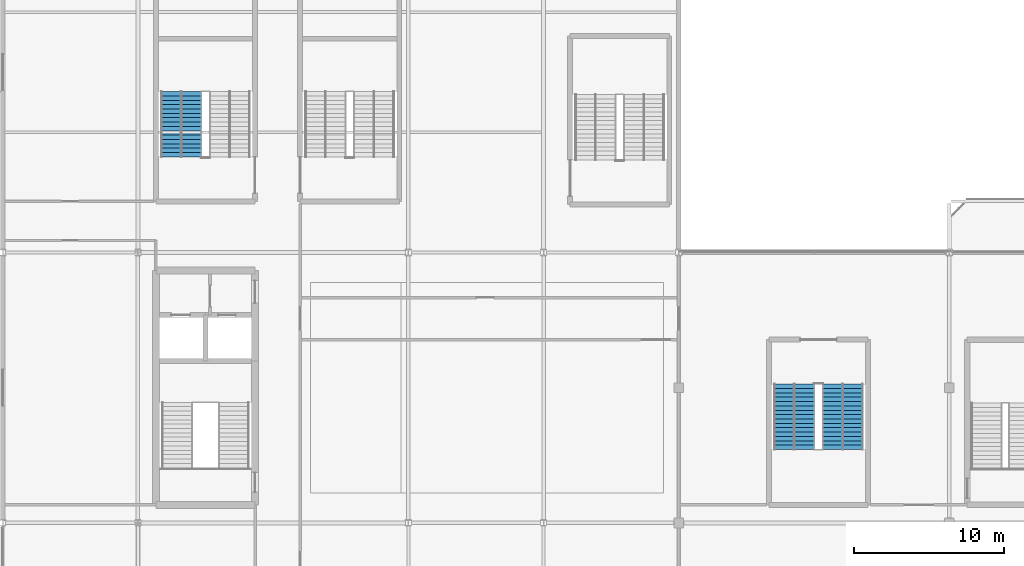
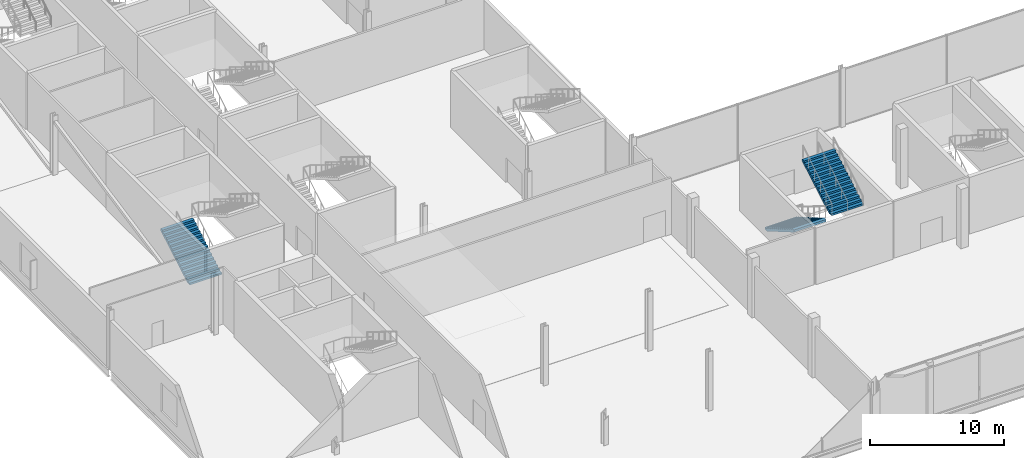
# One storey, part 80 of 113: 3 stair flights, 2 elements without a shape of their own.
"""IFC4 building model written with IfcOpenShell, lengths in metres."""

from ifc_helpers import new_model, si_unit, direction, frame, origin, place, context, subcontext, project, spatial, polygons, material, type_object, element, aggregate, save


model = new_model("IFC4")

# Units and contexts
model_context = context("Model", 3, precision=1e-05, world=origin(), true_north=direction((0.0, 1.0)))
body_context = subcontext(model_context, "Body", "Model", "MODEL_VIEW")
ifc_project = project(units=[si_unit("LENGTHUNIT", "METRE"), si_unit("AREAUNIT", "SQUARE_METRE"), si_unit("VOLUMEUNIT", "CUBIC_METRE"), si_unit("PLANEANGLEUNIT", "RADIAN"), si_unit("MASSUNIT", "GRAM", prefix="KILO")], contexts=[model_context])

# Site, building, storey
site_placement = place(None, origin())
site = spatial("IfcSite", under=ifc_project, at=site_placement, CompositionType="ELEMENT")
building_placement = place(site_placement, origin())
building = spatial("IfcBuilding", under=site, at=building_placement, Name="Kisiwana Market Hall", CompositionType="ELEMENT")
storey_placement = place(building_placement, frame((0.0, 0.0, 6.0)))
storey = spatial("IfcBuildingStorey", under=building, at=storey_placement, Name="L01", CompositionType="ELEMENT", Elevation=6.0)

# Stair, stair flight
ifc_material_1 = material(Name="Concrete C32/40", Category="concrete")
stair_type = type_object("IfcStairType", Name="ST-ESC-5400", PredefinedType="TWO_STRAIGHT_RUN_STAIR", material=ifc_material_1)
stair_1_placement = place(storey_placement, origin())
stair_1 = element("IfcStair", 1, at=stair_1_placement, inside=storey, type_object=stair_type, Name="Escape stair ST-W3-L01", PredefinedType="TWO_STRAIGHT_RUN_STAIR")
ifc_material_2 = material(Name="Concrete C32/40", Category="concrete")
stair_flight_type = type_object("IfcStairFlightType", Name="SF-ESC-5400", PredefinedType="STRAIGHT", material=ifc_material_2)
stair_flight_1_placement = place(storey_placement, frame((11.889892578125, 42.360107421875, 0.0), z_axis=(0.0, 0.0, 1.0), x_axis=(0.0, 1.0, 0.0)))
stair_flight_1 = element("IfcStairFlight", 2, at=stair_flight_1_placement, type_object=stair_flight_type, Name="ST-W3-L01 flight 1", NumberOfRisers=16, NumberOfTreads=15, PredefinedType="STRAIGHT", RiserHeight=0.16875, TreadLength=0.29, context=body_context, shape_type="Tessellation", body=[
    polygons([(0.0, -1.380127, 0.0), (0.0, -0.690125, 0.0), (0.0, -0.000122, 0.0), (0.0, 0.68988, 0.0), (0.0, 1.379883, 0.0), (0.0, -1.380127, 0.168701), (0.0, -0.690125, 0.168701), (0.0, -0.000122, 0.168701), (0.0, 0.68988, 0.168701), (0.0, 1.379883, 0.168701), (0.290039, -1.380127, 0.168701), (0.290039, -0.690125, 0.168701), (0.290039, -0.000122, 0.168701), (0.290039, 0.68988, 0.168701), (0.290039, 1.379883, 0.168701), (0.290039, -1.380127, 0.337402), (0.290039, -0.690125, 0.337402), (0.290039, -0.000122, 0.337402), (0.290039, 0.68988, 0.337402), (0.290039, 1.379883, 0.337402), (0.580078, -1.380127, 0.337402), (0.580078, -0.690125, 0.337402), (0.580078, -0.000122, 0.337402), (0.580078, 0.68988, 0.337402), (0.580078, 1.379883, 0.337402), (0.580078, -1.380127, 0.506348), (0.580078, -0.690125, 0.506348), (0.580078, -0.000122, 0.506348), (0.580078, 0.68988, 0.506348), (0.580078, 1.379883, 0.506348), (0.870117, -1.380127, 0.506348), (0.870117, -0.690125, 0.506348), (0.870117, -0.000122, 0.506348), (0.870117, 0.68988, 0.506348), (0.870117, 1.379883, 0.506348), (0.870117, -1.380127, 0.675049), (0.870117, -0.690125, 0.675049), (0.870117, -0.000122, 0.675049), (0.870117, 0.68988, 0.675049), (0.870117, 1.379883, 0.675049), (1.159912, -1.380127, 0.675049), (1.159912, -0.690125, 0.675049), (1.159912, -0.000122, 0.675049), (1.159912, 0.68988, 0.675049), (1.159912, 1.379883, 0.675049), (1.159912, -1.380127, 0.84375), (1.159912, -0.690125, 0.84375), (1.159912, -0.000122, 0.84375), (1.159912, 0.68988, 0.84375), (1.159912, 1.379883, 0.84375), (1.449951, -1.380127, 0.84375), (1.449951, -0.690125, 0.84375), (1.449951, -0.000122, 0.84375), (1.449951, 0.68988, 0.84375), (1.449951, 1.379883, 0.84375), (1.449951, -1.380127, 1.012451), (1.449951, -0.690125, 1.012451), (1.449951, -0.000122, 1.012451), (1.449951, 0.68988, 1.012451), (1.449951, 1.379883, 1.012451), (1.73999, -1.380127, 1.012451), (1.73999, -0.690125, 1.012451), (1.73999, -0.000122, 1.012451), (1.73999, 0.68988, 1.012451), (1.73999, 1.379883, 1.012451), (1.73999, -1.380127, 1.181152), (1.73999, -0.690125, 1.181152), (1.73999, -0.000122, 1.181152), (1.73999, 0.68988, 1.181152), (1.73999, 1.379883, 1.181152), (2.030029, -1.380127, 1.181152), (2.030029, -0.690125, 1.181152), (2.030029, -0.000122, 1.181152), (2.030029, 0.68988, 1.181152), (2.030029, 1.379883, 1.181152), (2.030029, -1.380127, 1.350098), (2.030029, -0.690125, 1.350098), (2.030029, -0.000122, 1.350098), (2.030029, 0.68988, 1.350098), (2.030029, 1.379883, 1.350098), (2.320068, -1.380127, 1.350098), (2.320068, -0.690125, 1.350098), (2.320068, -0.000122, 1.350098), (2.320068, 0.68988, 1.350098), (2.320068, 1.379883, 1.350098), (2.320068, -1.380127, 1.518799), (2.320068, -0.690125, 1.518799), (2.320068, -0.000122, 1.518799), (2.320068, 0.68988, 1.518799), (2.320068, 1.379883, 1.518799), (2.610107, -1.380127, 1.518799), (2.610107, -0.690125, 1.518799), (2.610107, -0.000122, 1.518799), (2.610107, 0.68988, 1.518799), (2.610107, 1.379883, 1.518799), (2.610107, -1.380127, 1.6875), (2.610107, -0.690125, 1.6875), (2.610107, -0.000122, 1.6875), (2.610107, 0.68988, 1.6875), (2.610107, 1.379883, 1.6875), (2.899902, -1.380127, 1.6875), (2.899902, -0.690125, 1.6875), (2.899902, -0.000122, 1.6875), (2.899902, 0.68988, 1.6875), (2.899902, 1.379883, 1.6875), (2.899902, -1.380127, 1.856201), (2.899902, -0.690125, 1.856201), (2.899902, -0.000122, 1.856201), (2.899902, 0.68988, 1.856201), (2.899902, 1.379883, 1.856201), (3.189941, -1.380127, 1.856201), (3.189941, -0.690125, 1.856201), (3.189941, -0.000122, 1.856201), (3.189941, 0.68988, 1.856201), (3.189941, 1.379883, 1.856201), (3.189941, -1.380127, 2.024902), (3.189941, -0.690125, 2.024902), (3.189941, -0.000122, 2.024902), (3.189941, 0.68988, 2.024902), (3.189941, 1.379883, 2.024902), (3.47998, -1.380127, 2.024902), (3.47998, -0.690125, 2.024902), (3.47998, -0.000122, 2.024902), (3.47998, 0.68988, 2.024902), (3.47998, 1.379883, 2.024902), (3.47998, -1.380127, 2.193848), (3.47998, -0.690125, 2.193848), (3.47998, -0.000122, 2.193848), (3.47998, 0.68988, 2.193848), (3.47998, 1.379883, 2.193848), (3.77002, -1.380127, 2.193848), (3.77002, -0.690125, 2.193848), (3.77002, -0.000122, 2.193848), (3.77002, 0.68988, 2.193848), (3.77002, 1.379883, 2.193848), (3.77002, -1.380127, 2.362549), (3.77002, -0.690125, 2.362549), (3.77002, -0.000122, 2.362549), (3.77002, 0.68988, 2.362549), (3.77002, 1.379883, 2.362549), (4.060059, -1.380127, 2.362549), (4.060059, -0.690125, 2.362549), (4.060059, -0.000122, 2.362549), (4.060059, 0.68988, 2.362549), (4.060059, 1.379883, 2.362549), (4.060059, -1.380127, 2.53125), (4.060059, -0.690125, 2.53125), (4.060059, -0.000122, 2.53125), (4.060059, 0.68988, 2.53125), (4.060059, 1.379883, 2.53125), (4.350098, -1.380127, 2.53125), (4.350098, -0.690125, 2.53125), (4.350098, -0.000122, 2.53125), (4.350098, 0.68988, 2.53125), (4.350098, 1.379883, 2.53125), (4.350098, -1.380127, 2.322998), (4.350098, -0.690125, 2.322998), (4.350098, -0.000122, 2.322998), (4.350098, 0.68988, 2.322998), (4.350098, 1.379883, 2.322998), (0.357666, -1.380127, 0.0), (0.357666, -0.690125, 0.0), (0.357666, -0.000122, 0.0), (0.357666, 0.68988, 0.0), (0.357666, 1.379883, 0.0)], [[[1, 6, 7, 2]], [[2, 7, 8, 3]], [[3, 8, 9, 4]], [[4, 9, 10, 5]], [[6, 11, 12, 7]], [[7, 12, 13, 8]], [[8, 13, 14, 9]], [[9, 14, 15, 10]], [[11, 16, 17, 12]], [[12, 17, 18, 13]], [[13, 18, 19, 14]], [[14, 19, 20, 15]], [[16, 21, 22, 17]], [[17, 22, 23, 18]], [[18, 23, 24, 19]], [[19, 24, 25, 20]], [[21, 26, 27, 22]], [[22, 27, 28, 23]], [[23, 28, 29, 24]], [[24, 29, 30, 25]], [[26, 31, 32, 27]], [[27, 32, 33, 28]], [[28, 33, 34, 29]], [[29, 34, 35, 30]], [[31, 36, 37, 32]], [[32, 37, 38, 33]], [[33, 38, 39, 34]], [[34, 39, 40, 35]], [[36, 41, 42, 37]], [[37, 42, 43, 38]], [[38, 43, 44, 39]], [[39, 44, 45, 40]], [[41, 46, 47, 42]], [[42, 47, 48, 43]], [[43, 48, 49, 44]], [[44, 49, 50, 45]], [[46, 51, 52, 47]], [[47, 52, 53, 48]], [[48, 53, 54, 49]], [[49, 54, 55, 50]], [[51, 56, 57, 52]], [[52, 57, 58, 53]], [[53, 58, 59, 54]], [[54, 59, 60, 55]], [[56, 61, 62, 57]], [[57, 62, 63, 58]], [[58, 63, 64, 59]], [[59, 64, 65, 60]], [[61, 66, 67, 62]], [[62, 67, 68, 63]], [[63, 68, 69, 64]], [[64, 69, 70, 65]], [[66, 71, 72, 67]], [[67, 72, 73, 68]], [[68, 73, 74, 69]], [[69, 74, 75, 70]], [[71, 76, 77, 72]], [[72, 77, 78, 73]], [[73, 78, 79, 74]], [[74, 79, 80, 75]], [[76, 81, 82, 77]], [[77, 82, 83, 78]], [[78, 83, 84, 79]], [[79, 84, 85, 80]], [[81, 86, 87, 82]], [[82, 87, 88, 83]], [[83, 88, 89, 84]], [[84, 89, 90, 85]], [[86, 91, 92, 87]], [[87, 92, 93, 88]], [[88, 93, 94, 89]], [[89, 94, 95, 90]], [[91, 96, 97, 92]], [[92, 97, 98, 93]], [[93, 98, 99, 94]], [[94, 99, 100, 95]], [[96, 101, 102, 97]], [[97, 102, 103, 98]], [[98, 103, 104, 99]], [[99, 104, 105, 100]], [[101, 106, 107, 102]], [[102, 107, 108, 103]], [[103, 108, 109, 104]], [[104, 109, 110, 105]], [[106, 111, 112, 107]], [[107, 112, 113, 108]], [[108, 113, 114, 109]], [[109, 114, 115, 110]], [[111, 116, 117, 112]], [[112, 117, 118, 113]], [[113, 118, 119, 114]], [[114, 119, 120, 115]], [[116, 121, 122, 117]], [[117, 122, 123, 118]], [[118, 123, 124, 119]], [[119, 124, 125, 120]], [[121, 126, 127, 122]], [[122, 127, 128, 123]], [[123, 128, 129, 124]], [[124, 129, 130, 125]], [[126, 131, 132, 127]], [[127, 132, 133, 128]], [[128, 133, 134, 129]], [[129, 134, 135, 130]], [[131, 136, 137, 132]], [[132, 137, 138, 133]], [[133, 138, 139, 134]], [[134, 139, 140, 135]], [[136, 141, 142, 137]], [[137, 142, 143, 138]], [[138, 143, 144, 139]], [[139, 144, 145, 140]], [[141, 146, 147, 142]], [[142, 147, 148, 143]], [[143, 148, 149, 144]], [[144, 149, 150, 145]], [[146, 151, 152, 147]], [[147, 152, 153, 148]], [[148, 153, 154, 149]], [[149, 154, 155, 150]], [[151, 156, 157, 152]], [[152, 157, 158, 153]], [[153, 158, 159, 154]], [[154, 159, 160, 155]], [[156, 161, 162, 157]], [[157, 162, 163, 158]], [[158, 163, 164, 159]], [[159, 164, 165, 160]], [[161, 1, 2, 162]], [[162, 2, 3, 163]], [[163, 3, 4, 164]], [[164, 4, 5, 165]], [[161, 156, 151, 146, 141, 136, 131, 126, 121, 116, 111, 106, 101, 96, 91, 86, 81, 76, 71, 66, 61, 56, 51, 46, 41, 36, 31, 26, 21, 16, 11, 6, 1]], [[5, 10, 15, 20, 25, 30, 35, 40, 45, 50, 55, 60, 65, 70, 75, 80, 85, 90, 95, 100, 105, 110, 115, 120, 125, 130, 135, 140, 145, 150, 155, 160, 165]]], closed=True),
])
aggregate(stair_1, [stair_flight_1])

# Stair, stair flights
stair_2_placement = place(storey_placement, origin())
stair_2 = element("IfcStair", 3, at=stair_2_placement, inside=storey, type_object=stair_type, Name="Escape stair ST-S3-L01", PredefinedType="TWO_STRAIGHT_RUN_STAIR")
stair_flight_2_placement = place(storey_placement, frame((52.68994140625, 27.239990234375, 0.0), z_axis=(0.0, 0.0, 1.0), x_axis=(0.0, -1.0, 0.0)))
stair_flight_2 = element("IfcStairFlight", 4, at=stair_flight_2_placement, type_object=stair_flight_type, Name="ST-S3-L01 flight 1", NumberOfRisers=16, NumberOfTreads=15, PredefinedType="STRAIGHT", RiserHeight=0.16875, TreadLength=0.29, context=body_context, shape_type="Tessellation", body=[
    polygons([(0.0, -1.380127, 0.0), (0.0, -0.690125, 0.0), (0.0, -0.000122, 0.0), (0.0, 0.68988, 0.0), (0.0, 1.379883, 0.0), (0.0, -1.380127, 0.168701), (0.0, -0.690125, 0.168701), (0.0, -0.000122, 0.168701), (0.0, 0.68988, 0.168701), (0.0, 1.379883, 0.168701), (0.290039, -1.380127, 0.168701), (0.290039, -0.690125, 0.168701), (0.290039, -0.000122, 0.168701), (0.290039, 0.68988, 0.168701), (0.290039, 1.379883, 0.168701), (0.290039, -1.380127, 0.337402), (0.290039, -0.690125, 0.337402), (0.290039, -0.000122, 0.337402), (0.290039, 0.68988, 0.337402), (0.290039, 1.379883, 0.337402), (0.580078, -1.380127, 0.337402), (0.580078, -0.690125, 0.337402), (0.580078, -0.000122, 0.337402), (0.580078, 0.68988, 0.337402), (0.580078, 1.379883, 0.337402), (0.580078, -1.380127, 0.506348), (0.580078, -0.690125, 0.506348), (0.580078, -0.000122, 0.506348), (0.580078, 0.68988, 0.506348), (0.580078, 1.379883, 0.506348), (0.870117, -1.380127, 0.506348), (0.870117, -0.690125, 0.506348), (0.870117, -0.000122, 0.506348), (0.870117, 0.68988, 0.506348), (0.870117, 1.379883, 0.506348), (0.870117, -1.380127, 0.675049), (0.870117, -0.690125, 0.675049), (0.870117, -0.000122, 0.675049), (0.870117, 0.68988, 0.675049), (0.870117, 1.379883, 0.675049), (1.159912, -1.380127, 0.675049), (1.159912, -0.690125, 0.675049), (1.159912, -0.000122, 0.675049), (1.159912, 0.68988, 0.675049), (1.159912, 1.379883, 0.675049), (1.159912, -1.380127, 0.84375), (1.159912, -0.690125, 0.84375), (1.159912, -0.000122, 0.84375), (1.159912, 0.68988, 0.84375), (1.159912, 1.379883, 0.84375), (1.449951, -1.380127, 0.84375), (1.449951, -0.690125, 0.84375), (1.449951, -0.000122, 0.84375), (1.449951, 0.68988, 0.84375), (1.449951, 1.379883, 0.84375), (1.449951, -1.380127, 1.012451), (1.449951, -0.690125, 1.012451), (1.449951, -0.000122, 1.012451), (1.449951, 0.68988, 1.012451), (1.449951, 1.379883, 1.012451), (1.73999, -1.380127, 1.012451), (1.73999, -0.690125, 1.012451), (1.73999, -0.000122, 1.012451), (1.73999, 0.68988, 1.012451), (1.73999, 1.379883, 1.012451), (1.73999, -1.380127, 1.181152), (1.73999, -0.690125, 1.181152), (1.73999, -0.000122, 1.181152), (1.73999, 0.68988, 1.181152), (1.73999, 1.379883, 1.181152), (2.030029, -1.380127, 1.181152), (2.030029, -0.690125, 1.181152), (2.030029, -0.000122, 1.181152), (2.030029, 0.68988, 1.181152), (2.030029, 1.379883, 1.181152), (2.030029, -1.380127, 1.350098), (2.030029, -0.690125, 1.350098), (2.030029, -0.000122, 1.350098), (2.030029, 0.68988, 1.350098), (2.030029, 1.379883, 1.350098), (2.320068, -1.380127, 1.350098), (2.320068, -0.690125, 1.350098), (2.320068, -0.000122, 1.350098), (2.320068, 0.68988, 1.350098), (2.320068, 1.379883, 1.350098), (2.320068, -1.380127, 1.518799), (2.320068, -0.690125, 1.518799), (2.320068, -0.000122, 1.518799), (2.320068, 0.68988, 1.518799), (2.320068, 1.379883, 1.518799), (2.610107, -1.380127, 1.518799), (2.610107, -0.690125, 1.518799), (2.610107, -0.000122, 1.518799), (2.610107, 0.68988, 1.518799), (2.610107, 1.379883, 1.518799), (2.610107, -1.380127, 1.6875), (2.610107, -0.690125, 1.6875), (2.610107, -0.000122, 1.6875), (2.610107, 0.68988, 1.6875), (2.610107, 1.379883, 1.6875), (2.899902, -1.380127, 1.6875), (2.899902, -0.690125, 1.6875), (2.899902, -0.000122, 1.6875), (2.899902, 0.68988, 1.6875), (2.899902, 1.379883, 1.6875), (2.899902, -1.380127, 1.856201), (2.899902, -0.690125, 1.856201), (2.899902, -0.000122, 1.856201), (2.899902, 0.68988, 1.856201), (2.899902, 1.379883, 1.856201), (3.189941, -1.380127, 1.856201), (3.189941, -0.690125, 1.856201), (3.189941, -0.000122, 1.856201), (3.189941, 0.68988, 1.856201), (3.189941, 1.379883, 1.856201), (3.189941, -1.380127, 2.024902), (3.189941, -0.690125, 2.024902), (3.189941, -0.000122, 2.024902), (3.189941, 0.68988, 2.024902), (3.189941, 1.379883, 2.024902), (3.47998, -1.380127, 2.024902), (3.47998, -0.690125, 2.024902), (3.47998, -0.000122, 2.024902), (3.47998, 0.68988, 2.024902), (3.47998, 1.379883, 2.024902), (3.47998, -1.380127, 2.193848), (3.47998, -0.690125, 2.193848), (3.47998, -0.000122, 2.193848), (3.47998, 0.68988, 2.193848), (3.47998, 1.379883, 2.193848), (3.77002, -1.380127, 2.193848), (3.77002, -0.690125, 2.193848), (3.77002, -0.000122, 2.193848), (3.77002, 0.68988, 2.193848), (3.77002, 1.379883, 2.193848), (3.77002, -1.380127, 2.362549), (3.77002, -0.690125, 2.362549), (3.77002, -0.000122, 2.362549), (3.77002, 0.68988, 2.362549), (3.77002, 1.379883, 2.362549), (4.060059, -1.380127, 2.362549), (4.060059, -0.690125, 2.362549), (4.060059, -0.000122, 2.362549), (4.060059, 0.68988, 2.362549), (4.060059, 1.379883, 2.362549), (4.060059, -1.380127, 2.53125), (4.060059, -0.690125, 2.53125), (4.060059, -0.000122, 2.53125), (4.060059, 0.68988, 2.53125), (4.060059, 1.379883, 2.53125), (4.350098, -1.380127, 2.53125), (4.350098, -0.690125, 2.53125), (4.350098, -0.000122, 2.53125), (4.350098, 0.68988, 2.53125), (4.350098, 1.379883, 2.53125), (4.350098, -1.380127, 2.322998), (4.350098, -0.690125, 2.322998), (4.350098, -0.000122, 2.322998), (4.350098, 0.68988, 2.322998), (4.350098, 1.379883, 2.322998), (0.357666, -1.380127, 0.0), (0.357666, -0.690125, 0.0), (0.357666, -0.000122, 0.0), (0.357666, 0.68988, 0.0), (0.357666, 1.379883, 0.0)], [[[1, 6, 7, 2]], [[2, 7, 8, 3]], [[3, 8, 9, 4]], [[4, 9, 10, 5]], [[6, 11, 12, 7]], [[7, 12, 13, 8]], [[8, 13, 14, 9]], [[9, 14, 15, 10]], [[11, 16, 17, 12]], [[12, 17, 18, 13]], [[13, 18, 19, 14]], [[14, 19, 20, 15]], [[16, 21, 22, 17]], [[17, 22, 23, 18]], [[18, 23, 24, 19]], [[19, 24, 25, 20]], [[21, 26, 27, 22]], [[22, 27, 28, 23]], [[23, 28, 29, 24]], [[24, 29, 30, 25]], [[26, 31, 32, 27]], [[27, 32, 33, 28]], [[28, 33, 34, 29]], [[29, 34, 35, 30]], [[31, 36, 37, 32]], [[32, 37, 38, 33]], [[33, 38, 39, 34]], [[34, 39, 40, 35]], [[36, 41, 42, 37]], [[37, 42, 43, 38]], [[38, 43, 44, 39]], [[39, 44, 45, 40]], [[41, 46, 47, 42]], [[42, 47, 48, 43]], [[43, 48, 49, 44]], [[44, 49, 50, 45]], [[46, 51, 52, 47]], [[47, 52, 53, 48]], [[48, 53, 54, 49]], [[49, 54, 55, 50]], [[51, 56, 57, 52]], [[52, 57, 58, 53]], [[53, 58, 59, 54]], [[54, 59, 60, 55]], [[56, 61, 62, 57]], [[57, 62, 63, 58]], [[58, 63, 64, 59]], [[59, 64, 65, 60]], [[61, 66, 67, 62]], [[62, 67, 68, 63]], [[63, 68, 69, 64]], [[64, 69, 70, 65]], [[66, 71, 72, 67]], [[67, 72, 73, 68]], [[68, 73, 74, 69]], [[69, 74, 75, 70]], [[71, 76, 77, 72]], [[72, 77, 78, 73]], [[73, 78, 79, 74]], [[74, 79, 80, 75]], [[76, 81, 82, 77]], [[77, 82, 83, 78]], [[78, 83, 84, 79]], [[79, 84, 85, 80]], [[81, 86, 87, 82]], [[82, 87, 88, 83]], [[83, 88, 89, 84]], [[84, 89, 90, 85]], [[86, 91, 92, 87]], [[87, 92, 93, 88]], [[88, 93, 94, 89]], [[89, 94, 95, 90]], [[91, 96, 97, 92]], [[92, 97, 98, 93]], [[93, 98, 99, 94]], [[94, 99, 100, 95]], [[96, 101, 102, 97]], [[97, 102, 103, 98]], [[98, 103, 104, 99]], [[99, 104, 105, 100]], [[101, 106, 107, 102]], [[102, 107, 108, 103]], [[103, 108, 109, 104]], [[104, 109, 110, 105]], [[106, 111, 112, 107]], [[107, 112, 113, 108]], [[108, 113, 114, 109]], [[109, 114, 115, 110]], [[111, 116, 117, 112]], [[112, 117, 118, 113]], [[113, 118, 119, 114]], [[114, 119, 120, 115]], [[116, 121, 122, 117]], [[117, 122, 123, 118]], [[118, 123, 124, 119]], [[119, 124, 125, 120]], [[121, 126, 127, 122]], [[122, 127, 128, 123]], [[123, 128, 129, 124]], [[124, 129, 130, 125]], [[126, 131, 132, 127]], [[127, 132, 133, 128]], [[128, 133, 134, 129]], [[129, 134, 135, 130]], [[131, 136, 137, 132]], [[132, 137, 138, 133]], [[133, 138, 139, 134]], [[134, 139, 140, 135]], [[136, 141, 142, 137]], [[137, 142, 143, 138]], [[138, 143, 144, 139]], [[139, 144, 145, 140]], [[141, 146, 147, 142]], [[142, 147, 148, 143]], [[143, 148, 149, 144]], [[144, 149, 150, 145]], [[146, 151, 152, 147]], [[147, 152, 153, 148]], [[148, 153, 154, 149]], [[149, 154, 155, 150]], [[151, 156, 157, 152]], [[152, 157, 158, 153]], [[153, 158, 159, 154]], [[154, 159, 160, 155]], [[156, 161, 162, 157]], [[157, 162, 163, 158]], [[158, 163, 164, 159]], [[159, 164, 165, 160]], [[161, 1, 2, 162]], [[162, 2, 3, 163]], [[163, 3, 4, 164]], [[164, 4, 5, 165]], [[161, 156, 151, 146, 141, 136, 131, 126, 121, 116, 111, 106, 101, 96, 91, 86, 81, 76, 71, 66, 61, 56, 51, 46, 41, 36, 31, 26, 21, 16, 11, 6, 1]], [[5, 10, 15, 20, 25, 30, 35, 40, 45, 50, 55, 60, 65, 70, 75, 80, 85, 90, 95, 100, 105, 110, 115, 120, 125, 130, 135, 140, 145, 150, 155, 160, 165]]], closed=True),
])
stair_flight_3_placement = place(storey_placement, frame((55.909912109375, 22.889892578125, 2.699951171875), z_axis=(0.0, 0.0, 1.0), x_axis=(0.0, 1.0, 0.0)))
stair_flight_3 = element("IfcStairFlight", 5, at=stair_flight_3_placement, type_object=stair_flight_type, Name="ST-S3-L01 flight 2", NumberOfRisers=16, NumberOfTreads=15, PredefinedType="STRAIGHT", RiserHeight=0.16875, TreadLength=0.29, context=body_context, shape_type="Tessellation", body=[
    polygons([(0.0, -1.380127, 0.0), (0.0, -0.690125, 0.0), (0.0, -0.000122, 0.0), (0.0, 0.68988, 0.0), (0.0, 1.379883, 0.0), (0.0, -1.380127, 0.168701), (0.0, -0.690125, 0.168701), (0.0, -0.000122, 0.168701), (0.0, 0.68988, 0.168701), (0.0, 1.379883, 0.168701), (0.290039, -1.380127, 0.168701), (0.290039, -0.690125, 0.168701), (0.290039, -0.000122, 0.168701), (0.290039, 0.68988, 0.168701), (0.290039, 1.379883, 0.168701), (0.290039, -1.380127, 0.337402), (0.290039, -0.690125, 0.337402), (0.290039, -0.000122, 0.337402), (0.290039, 0.68988, 0.337402), (0.290039, 1.379883, 0.337402), (0.580078, -1.380127, 0.337402), (0.580078, -0.690125, 0.337402), (0.580078, -0.000122, 0.337402), (0.580078, 0.68988, 0.337402), (0.580078, 1.379883, 0.337402), (0.580078, -1.380127, 0.506348), (0.580078, -0.690125, 0.506348), (0.580078, -0.000122, 0.506348), (0.580078, 0.68988, 0.506348), (0.580078, 1.379883, 0.506348), (0.870117, -1.380127, 0.506348), (0.870117, -0.690125, 0.506348), (0.870117, -0.000122, 0.506348), (0.870117, 0.68988, 0.506348), (0.870117, 1.379883, 0.506348), (0.870117, -1.380127, 0.675049), (0.870117, -0.690125, 0.675049), (0.870117, -0.000122, 0.675049), (0.870117, 0.68988, 0.675049), (0.870117, 1.379883, 0.675049), (1.159912, -1.380127, 0.675049), (1.159912, -0.690125, 0.675049), (1.159912, -0.000122, 0.675049), (1.159912, 0.68988, 0.675049), (1.159912, 1.379883, 0.675049), (1.159912, -1.380127, 0.84375), (1.159912, -0.690125, 0.84375), (1.159912, -0.000122, 0.84375), (1.159912, 0.68988, 0.84375), (1.159912, 1.379883, 0.84375), (1.449951, -1.380127, 0.84375), (1.449951, -0.690125, 0.84375), (1.449951, -0.000122, 0.84375), (1.449951, 0.68988, 0.84375), (1.449951, 1.379883, 0.84375), (1.449951, -1.380127, 1.012451), (1.449951, -0.690125, 1.012451), (1.449951, -0.000122, 1.012451), (1.449951, 0.68988, 1.012451), (1.449951, 1.379883, 1.012451), (1.73999, -1.380127, 1.012451), (1.73999, -0.690125, 1.012451), (1.73999, -0.000122, 1.012451), (1.73999, 0.68988, 1.012451), (1.73999, 1.379883, 1.012451), (1.73999, -1.380127, 1.181152), (1.73999, -0.690125, 1.181152), (1.73999, -0.000122, 1.181152), (1.73999, 0.68988, 1.181152), (1.73999, 1.379883, 1.181152), (2.030029, -1.380127, 1.181152), (2.030029, -0.690125, 1.181152), (2.030029, -0.000122, 1.181152), (2.030029, 0.68988, 1.181152), (2.030029, 1.379883, 1.181152), (2.030029, -1.380127, 1.350098), (2.030029, -0.690125, 1.350098), (2.030029, -0.000122, 1.350098), (2.030029, 0.68988, 1.350098), (2.030029, 1.379883, 1.350098), (2.320068, -1.380127, 1.350098), (2.320068, -0.690125, 1.350098), (2.320068, -0.000122, 1.350098), (2.320068, 0.68988, 1.350098), (2.320068, 1.379883, 1.350098), (2.320068, -1.380127, 1.518799), (2.320068, -0.690125, 1.518799), (2.320068, -0.000122, 1.518799), (2.320068, 0.68988, 1.518799), (2.320068, 1.379883, 1.518799), (2.610107, -1.380127, 1.518799), (2.610107, -0.690125, 1.518799), (2.610107, -0.000122, 1.518799), (2.610107, 0.68988, 1.518799), (2.610107, 1.379883, 1.518799), (2.610107, -1.380127, 1.6875), (2.610107, -0.690125, 1.6875), (2.610107, -0.000122, 1.6875), (2.610107, 0.68988, 1.6875), (2.610107, 1.379883, 1.6875), (2.899902, -1.380127, 1.6875), (2.899902, -0.690125, 1.6875), (2.899902, -0.000122, 1.6875), (2.899902, 0.68988, 1.6875), (2.899902, 1.379883, 1.6875), (2.899902, -1.380127, 1.856201), (2.899902, -0.690125, 1.856201), (2.899902, -0.000122, 1.856201), (2.899902, 0.68988, 1.856201), (2.899902, 1.379883, 1.856201), (3.189941, -1.380127, 1.856201), (3.189941, -0.690125, 1.856201), (3.189941, -0.000122, 1.856201), (3.189941, 0.68988, 1.856201), (3.189941, 1.379883, 1.856201), (3.189941, -1.380127, 2.024902), (3.189941, -0.690125, 2.024902), (3.189941, -0.000122, 2.024902), (3.189941, 0.68988, 2.024902), (3.189941, 1.379883, 2.024902), (3.47998, -1.380127, 2.024902), (3.47998, -0.690125, 2.024902), (3.47998, -0.000122, 2.024902), (3.47998, 0.68988, 2.024902), (3.47998, 1.379883, 2.024902), (3.47998, -1.380127, 2.193848), (3.47998, -0.690125, 2.193848), (3.47998, -0.000122, 2.193848), (3.47998, 0.68988, 2.193848), (3.47998, 1.379883, 2.193848), (3.77002, -1.380127, 2.193848), (3.77002, -0.690125, 2.193848), (3.77002, -0.000122, 2.193848), (3.77002, 0.68988, 2.193848), (3.77002, 1.379883, 2.193848), (3.77002, -1.380127, 2.362549), (3.77002, -0.690125, 2.362549), (3.77002, -0.000122, 2.362549), (3.77002, 0.68988, 2.362549), (3.77002, 1.379883, 2.362549), (4.060059, -1.380127, 2.362549), (4.060059, -0.690125, 2.362549), (4.060059, -0.000122, 2.362549), (4.060059, 0.68988, 2.362549), (4.060059, 1.379883, 2.362549), (4.060059, -1.380127, 2.53125), (4.060059, -0.690125, 2.53125), (4.060059, -0.000122, 2.53125), (4.060059, 0.68988, 2.53125), (4.060059, 1.379883, 2.53125), (4.350098, -1.380127, 2.53125), (4.350098, -0.690125, 2.53125), (4.350098, -0.000122, 2.53125), (4.350098, 0.68988, 2.53125), (4.350098, 1.379883, 2.53125), (4.350098, -1.380127, 2.322998), (4.350098, -0.690125, 2.322998), (4.350098, -0.000122, 2.322998), (4.350098, 0.68988, 2.322998), (4.350098, 1.379883, 2.322998), (0.357666, -1.380127, 0.0), (0.357666, -0.690125, 0.0), (0.357666, -0.000122, 0.0), (0.357666, 0.68988, 0.0), (0.357666, 1.379883, 0.0)], [[[1, 6, 7, 2]], [[2, 7, 8, 3]], [[3, 8, 9, 4]], [[4, 9, 10, 5]], [[6, 11, 12, 7]], [[7, 12, 13, 8]], [[8, 13, 14, 9]], [[9, 14, 15, 10]], [[11, 16, 17, 12]], [[12, 17, 18, 13]], [[13, 18, 19, 14]], [[14, 19, 20, 15]], [[16, 21, 22, 17]], [[17, 22, 23, 18]], [[18, 23, 24, 19]], [[19, 24, 25, 20]], [[21, 26, 27, 22]], [[22, 27, 28, 23]], [[23, 28, 29, 24]], [[24, 29, 30, 25]], [[26, 31, 32, 27]], [[27, 32, 33, 28]], [[28, 33, 34, 29]], [[29, 34, 35, 30]], [[31, 36, 37, 32]], [[32, 37, 38, 33]], [[33, 38, 39, 34]], [[34, 39, 40, 35]], [[36, 41, 42, 37]], [[37, 42, 43, 38]], [[38, 43, 44, 39]], [[39, 44, 45, 40]], [[41, 46, 47, 42]], [[42, 47, 48, 43]], [[43, 48, 49, 44]], [[44, 49, 50, 45]], [[46, 51, 52, 47]], [[47, 52, 53, 48]], [[48, 53, 54, 49]], [[49, 54, 55, 50]], [[51, 56, 57, 52]], [[52, 57, 58, 53]], [[53, 58, 59, 54]], [[54, 59, 60, 55]], [[56, 61, 62, 57]], [[57, 62, 63, 58]], [[58, 63, 64, 59]], [[59, 64, 65, 60]], [[61, 66, 67, 62]], [[62, 67, 68, 63]], [[63, 68, 69, 64]], [[64, 69, 70, 65]], [[66, 71, 72, 67]], [[67, 72, 73, 68]], [[68, 73, 74, 69]], [[69, 74, 75, 70]], [[71, 76, 77, 72]], [[72, 77, 78, 73]], [[73, 78, 79, 74]], [[74, 79, 80, 75]], [[76, 81, 82, 77]], [[77, 82, 83, 78]], [[78, 83, 84, 79]], [[79, 84, 85, 80]], [[81, 86, 87, 82]], [[82, 87, 88, 83]], [[83, 88, 89, 84]], [[84, 89, 90, 85]], [[86, 91, 92, 87]], [[87, 92, 93, 88]], [[88, 93, 94, 89]], [[89, 94, 95, 90]], [[91, 96, 97, 92]], [[92, 97, 98, 93]], [[93, 98, 99, 94]], [[94, 99, 100, 95]], [[96, 101, 102, 97]], [[97, 102, 103, 98]], [[98, 103, 104, 99]], [[99, 104, 105, 100]], [[101, 106, 107, 102]], [[102, 107, 108, 103]], [[103, 108, 109, 104]], [[104, 109, 110, 105]], [[106, 111, 112, 107]], [[107, 112, 113, 108]], [[108, 113, 114, 109]], [[109, 114, 115, 110]], [[111, 116, 117, 112]], [[112, 117, 118, 113]], [[113, 118, 119, 114]], [[114, 119, 120, 115]], [[116, 121, 122, 117]], [[117, 122, 123, 118]], [[118, 123, 124, 119]], [[119, 124, 125, 120]], [[121, 126, 127, 122]], [[122, 127, 128, 123]], [[123, 128, 129, 124]], [[124, 129, 130, 125]], [[126, 131, 132, 127]], [[127, 132, 133, 128]], [[128, 133, 134, 129]], [[129, 134, 135, 130]], [[131, 136, 137, 132]], [[132, 137, 138, 133]], [[133, 138, 139, 134]], [[134, 139, 140, 135]], [[136, 141, 142, 137]], [[137, 142, 143, 138]], [[138, 143, 144, 139]], [[139, 144, 145, 140]], [[141, 146, 147, 142]], [[142, 147, 148, 143]], [[143, 148, 149, 144]], [[144, 149, 150, 145]], [[146, 151, 152, 147]], [[147, 152, 153, 148]], [[148, 153, 154, 149]], [[149, 154, 155, 150]], [[151, 156, 157, 152]], [[152, 157, 158, 153]], [[153, 158, 159, 154]], [[154, 159, 160, 155]], [[156, 161, 162, 157]], [[157, 162, 163, 158]], [[158, 163, 164, 159]], [[159, 164, 165, 160]], [[161, 1, 2, 162]], [[162, 2, 3, 163]], [[163, 3, 4, 164]], [[164, 4, 5, 165]], [[161, 156, 151, 146, 141, 136, 131, 126, 121, 116, 111, 106, 101, 96, 91, 86, 81, 76, 71, 66, 61, 56, 51, 46, 41, 36, 31, 26, 21, 16, 11, 6, 1]], [[5, 10, 15, 20, 25, 30, 35, 40, 45, 50, 55, 60, 65, 70, 75, 80, 85, 90, 95, 100, 105, 110, 115, 120, 125, 130, 135, 140, 145, 150, 155, 160, 165]]], closed=True),
])
aggregate(stair_2, [stair_flight_2, stair_flight_3])

save(model, "model.ifc")
